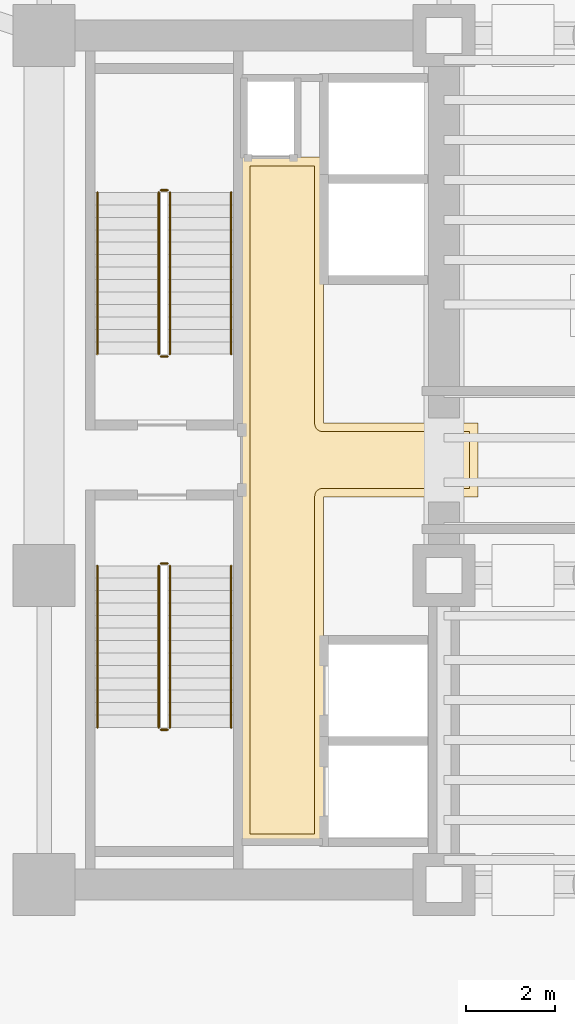
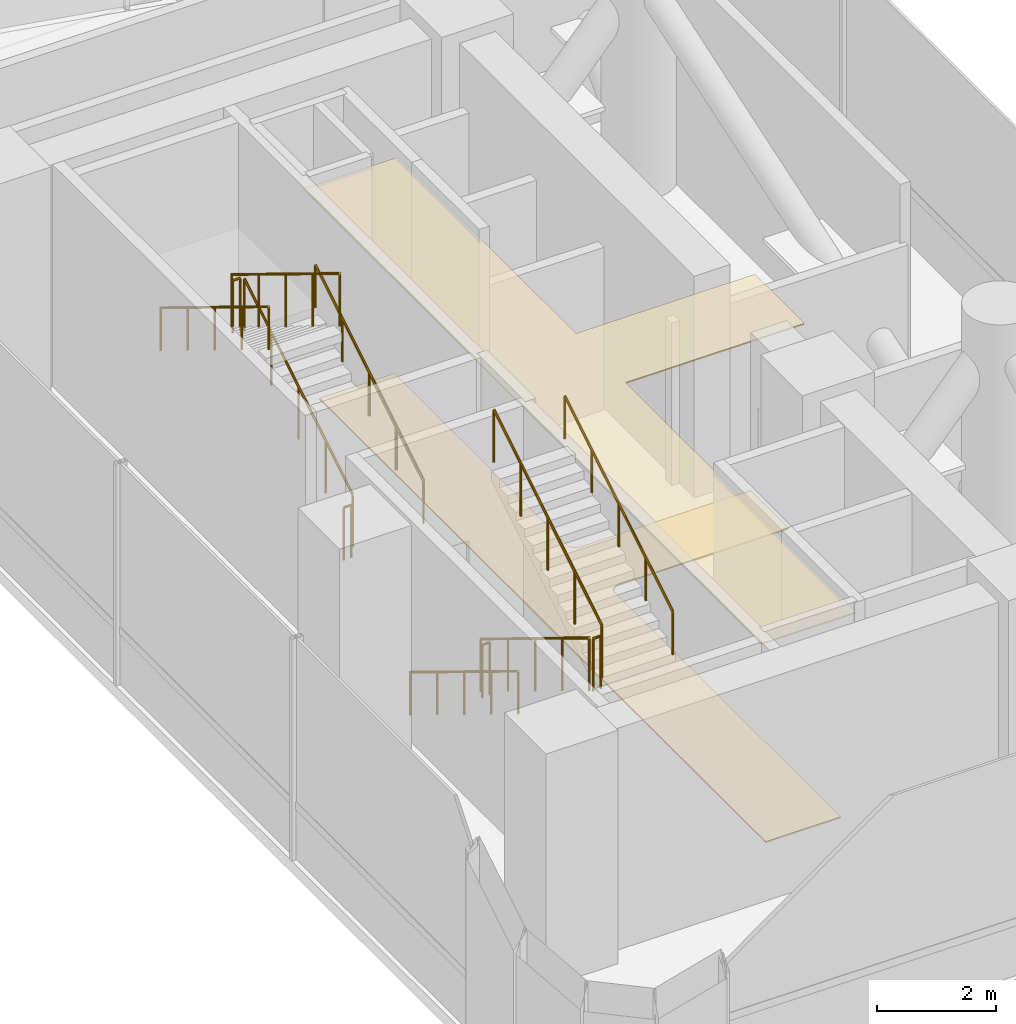
# One storey, part 38 of 39: 12 railings, 2 coverings.
"""IFC4 building model written with IfcOpenShell, lengths in metres."""

from ifc_helpers import new_model, si_unit, direction, frame, origin, origin_2d, place, context, subcontext, project, spatial, polyline, circle, outline, extrude, material, layer, layer_set, type_object, element, save


model = new_model("IFC4")

# Units and contexts
model_context = context("Model", 3, precision=1e-05, world=origin(), true_north=direction((0.0, 1.0)))
body_context = subcontext(model_context, "Body", "Model", "MODEL_VIEW")
ifc_project = project(units=[si_unit("LENGTHUNIT", "METRE"), si_unit("AREAUNIT", "SQUARE_METRE"), si_unit("VOLUMEUNIT", "CUBIC_METRE"), si_unit("PLANEANGLEUNIT", "RADIAN"), si_unit("MASSUNIT", "GRAM", prefix="KILO")], contexts=[model_context])

# Site, building, storey
site_placement = place(None, origin())
site = spatial("IfcSite", under=ifc_project, at=site_placement, CompositionType="ELEMENT")
building_placement = place(site_placement, origin())
building = spatial("IfcBuilding", under=site, at=building_placement, Name="Valdorenza Pilgrim Sanctuary Tower", CompositionType="ELEMENT")
storey_placement = place(building_placement, frame((0.0, 0.0, 96.300048828125)))
storey = spatial("IfcBuildingStorey", under=building, at=storey_placement, Name="L24", CompositionType="ELEMENT", Elevation=96.300048828125)

# Coverings
ifc_material_1 = material(Name="Micro-perforated acoustic mineral ceiling tile", Category="gypsum")
ifc_layer_1 = layer(ifc_material_1, 0.02490234375, Name="Micro-perforated acoustic mineral ceiling tile")
ifc_layer_set_1 = layer_set([ifc_layer_1], Name="Micro-perforated acoustic mineral ceiling tile")
covering_type_1 = type_object("IfcCoveringType", Name="COV-CLG-ACU", PredefinedType="CEILING", material=ifc_layer_set_1)
covering_1_placement = place(storey_placement, frame((0.0, 0.0, 4.260009765625)))
element("IfcCovering", 1, at=covering_1_placement, inside=storey, type_object=covering_type_1, Name="L24 Core B Passenger Lift Lobby Acoustic Ceiling", PredefinedType="CEILING", context=body_context, shape_type="SweptSolid", body=[
    extrude(outline(polyline([(20.287109375, -0.814697265625), (20.287109375, 0.814697265625), (20.28662109375, 0.815185546875), (20.2861328125, 0.81640625), (20.28564453125, 0.81787109375), (20.285400390625, 0.819091796875), (20.28515625, 0.820556640625), (20.284912109375, 0.822021484375), (20.284912109375, 6.800048828125), (20.28515625, 6.801513671875), (20.285400390625, 6.802978515625), (20.28564453125, 6.804443359375), (20.2861328125, 6.8056640625), (20.286865234375, 6.80712890625), (20.28759765625, 6.808349609375), (20.288330078125, 6.8095703125), (20.289306640625, 6.810546875), (20.29052734375, 6.8115234375), (20.291748046875, 6.8125), (20.29296875, 6.813232421875), (20.294189453125, 6.81396484375), (20.295654296875, 6.814453125), (20.297119140625, 6.814697265625), (20.298583984375, 6.81494140625), (20.300048828125, 6.81494140625), (20.347900390625, 6.81494140625), (20.349365234375, 6.81494140625), (20.350830078125, 6.814697265625), (20.352294921875, 6.814453125), (20.353515625, 6.81396484375), (20.35498046875, 6.813232421875), (20.35546875, 6.81298828125), (21.544677734375, 6.81298828125), (21.545166015625, 6.813232421875), (21.54638671875, 6.81396484375), (21.5478515625, 6.814453125), (21.54931640625, 6.814697265625), (21.550537109375, 6.81494140625), (21.552001953125, 6.81494140625), (22.1201171875, 6.81494140625), (22.12158203125, 6.81494140625), (22.122802734375, 6.814697265625), (22.12451171875, 6.814453125), (22.125732421875, 6.81396484375), (22.127197265625, 6.813232421875), (22.12841796875, 6.8125), (22.12939453125, 6.8115234375), (22.130615234375, 6.810546875), (22.131591796875, 6.8095703125), (22.132568359375, 6.808349609375), (22.13330078125, 6.80712890625), (22.1337890625, 6.8056640625), (22.134521484375, 6.804443359375), (22.134765625, 6.802978515625), (22.135009765625, 6.801513671875), (22.135009765625, 6.800048828125), (22.135009765625, 0.8349609375), (25.60009765625, 0.8349609375), (25.6015625, 0.8349609375), (25.602783203125, 0.834716796875), (25.6044921875, 0.83447265625), (25.605712890625, 0.833984375), (25.607177734375, 0.833251953125), (25.6083984375, 0.83251953125), (25.609619140625, 0.83154296875), (25.610595703125, 0.83056640625), (25.611572265625, 0.82958984375), (25.612548828125, 0.828369140625), (25.61328125, 0.8271484375), (25.614013671875, 0.82568359375), (25.614501953125, 0.824462890625), (25.61474609375, 0.822998046875), (25.614990234375, 0.821533203125), (25.614990234375, 0.820068359375), (25.614990234375, -0.820068359375), (25.614990234375, -0.821533203125), (25.61474609375, -0.822998046875), (25.614501953125, -0.824462890625), (25.614013671875, -0.82568359375), (25.61328125, -0.8271484375), (25.612548828125, -0.828369140625), (25.611572265625, -0.82958984375), (25.610595703125, -0.83056640625), (25.609619140625, -0.83154296875), (25.6083984375, -0.83251953125), (25.607177734375, -0.833251953125), (25.605712890625, -0.833984375), (25.6044921875, -0.83447265625), (25.602783203125, -0.834716796875), (25.6015625, -0.8349609375), (25.60009765625, -0.8349609375), (22.135009765625, -0.8349609375), (22.135009765625, -8.60009765625), (22.135009765625, -8.6015625), (22.134765625, -8.602783203125), (22.134521484375, -8.6044921875), (22.1337890625, -8.605712890625), (22.13330078125, -8.607177734375), (22.132568359375, -8.6083984375), (22.131591796875, -8.609619140625), (22.130615234375, -8.610595703125), (22.12939453125, -8.611572265625), (22.12841796875, -8.612548828125), (22.127197265625, -8.61328125), (22.125732421875, -8.614013671875), (22.12451171875, -8.614501953125), (22.122802734375, -8.61474609375), (22.12158203125, -8.614990234375), (22.1201171875, -8.614990234375), (20.300048828125, -8.614990234375), (20.298583984375, -8.614990234375), (20.297119140625, -8.61474609375), (20.295654296875, -8.614501953125), (20.294189453125, -8.614013671875), (20.29296875, -8.61328125), (20.291748046875, -8.612548828125), (20.29052734375, -8.611572265625), (20.289306640625, -8.610595703125), (20.288330078125, -8.609619140625), (20.28759765625, -8.6083984375), (20.286865234375, -8.607177734375), (20.2861328125, -8.605712890625), (20.28564453125, -8.6044921875), (20.285400390625, -8.602783203125), (20.28515625, -8.6015625), (20.284912109375, -8.60009765625), (20.284912109375, -0.822021484375), (20.28515625, -0.820556640625), (20.285400390625, -0.819091796875), (20.28564453125, -0.81787109375), (20.2861328125, -0.81640625), (20.28662109375, -0.815185546875), (20.287109375, -0.814697265625)])), origin(), (0.0, 0.0, 1.0), 0.02490234375),
])
ifc_material_2 = material(Name="Honed travertine stone flooring", Category="masonry")
ifc_layer_2 = layer(ifc_material_2, 0.030029296875, Name="Honed travertine stone flooring")
ifc_layer_set_2 = layer_set([ifc_layer_2], Name="Honed travertine stone flooring")
covering_type_2 = type_object("IfcCoveringType", Name="COV-FLR-TRV", PredefinedType="FLOORING", material=ifc_layer_set_2)
covering_2_placement = place(storey_placement, origin())
element("IfcCovering", 2, at=covering_2_placement, inside=storey, type_object=covering_type_2, Name="L24 Core B Passenger Lift Lobby Flooring", PredefinedType="FLOORING", context=body_context, shape_type="SweptSolid", body=[
    extrude(outline(polyline([(20.47998046875, 6.617919921875), (21.550048828125, 6.617919921875), (21.550537109375, 6.617919921875), (21.93994140625, 6.619384765625), (21.93994140625, 0.820068359375), (21.94091796875, 0.802490234375), (21.943603515625, 0.784912109375), (21.94775390625, 0.767578125), (21.95361328125, 0.751220703125), (21.961181640625, 0.735107421875), (21.97021484375, 0.719970703125), (21.98095703125, 0.705810546875), (21.99267578125, 0.692626953125), (22.005859375, 0.680908203125), (22.02001953125, 0.67041015625), (22.03515625, 0.661376953125), (22.051025390625, 0.65380859375), (22.067626953125, 0.647705078125), (22.0849609375, 0.6435546875), (22.102294921875, 0.640869140625), (22.1201171875, 0.639892578125), (25.419921875, 0.639892578125), (25.419921875, -0.639892578125), (22.1201171875, -0.639892578125), (22.102294921875, -0.640869140625), (22.0849609375, -0.6435546875), (22.067626953125, -0.647705078125), (22.051025390625, -0.65380859375), (22.03515625, -0.661376953125), (22.02001953125, -0.67041015625), (22.005859375, -0.680908203125), (21.99267578125, -0.692626953125), (21.98095703125, -0.705810546875), (21.97021484375, -0.719970703125), (21.961181640625, -0.735107421875), (21.95361328125, -0.751220703125), (21.94775390625, -0.767578125), (21.943603515625, -0.784912109375), (21.94091796875, -0.802490234375), (21.93994140625, -0.820068359375), (21.93994140625, -8.419921875), (20.47998046875, -8.419921875), (20.47998046875, -0.846923828125), (20.47998046875, -0.8466796875), (20.47998046875, -0.8466796875), (20.481689453125, -0.8291015625), (20.481689453125, -0.828857421875), (20.48193359375, -0.820068359375), (20.48193359375, 0.820068359375), (20.47998046875, 6.617919921875)])), origin(), (0.0, 0.0, 1.0), 0.02490234375),
])

# Railings
ifc_material_3 = material(Name="Stainless steel Grade 316", Category="steel")
railing_type_1 = type_object("IfcRailingType", Name="RLG-GRD-1120", PredefinedType="GUARDRAIL", material=ifc_material_3)
railing_1_placement = place(storey_placement, frame((18.679931640625, 2.3798828125, 0.17138671875)))
element("IfcRailing", 3, at=railing_1_placement, inside=storey, type_object=railing_type_1, Name="L24 ST-B1 stair guard 1", PredefinedType="GUARDRAIL", context=body_context, shape_type="SweptSolid", body=[
    extrude(circle(Radius=0.02392578125, at=origin_2d()), frame((0.0, 0.0, 1.076171875), z_axis=(0.0, 0.852865859571, 0.52213008492), x_axis=(-1.0, 0.0, 0.0)), (0.0, 0.0, 1.0), 4.26806640625),
    extrude(circle(Radius=0.02099609375, at=origin_2d()), origin(), (0.0, 0.0, 1.0), 1.052001953125),
    extrude(circle(Radius=0.02099609375, at=origin_2d()), frame((0.0, 0.91015625, 0.55712890625)), (0.0, 0.0, 1.0), 1.052001953125),
    extrude(circle(Radius=0.02099609375, at=origin_2d()), frame((0.0, 1.820068359375, 1.1142578125)), (0.0, 0.0, 1.0), 1.052001953125),
    extrude(circle(Radius=0.02099609375, at=origin_2d()), frame((0.0, 2.72998046875, 1.67138671875)), (0.0, 0.0, 1.0), 1.052001953125),
    extrude(circle(Radius=0.02099609375, at=origin_2d()), frame((0.0, 3.64013671875, 2.228515625)), (0.0, 0.0, 1.0), 1.052001953125),
])
railing_2_placement = place(storey_placement, frame((18.6298828125, 6.070068359375, 2.39990234375)))
element("IfcRailing", 4, at=railing_2_placement, inside=storey, type_object=railing_type_1, Name="L24 ST-B1 stair guard 2", PredefinedType="GUARDRAIL", context=body_context, shape_type="SweptSolid", body=[
    extrude(circle(Radius=0.02392578125, at=origin_2d()), frame((0.0, 0.0, 1.076171875), z_axis=(-1.0, 0.0, 0.0), x_axis=(0.0, -1.0, 0.0)), (0.0, 0.0, 1.0), 0.14990234375),
    extrude(circle(Radius=0.02099609375, at=origin_2d()), origin(), (0.0, 0.0, 1.0), 1.052001953125),
    extrude(circle(Radius=0.02099609375, at=origin_2d()), frame((-0.14990234375, 0.0, 0.0)), (0.0, 0.0, 1.0), 1.052001953125),
])
railing_3_placement = place(storey_placement, frame((18.429931640625, 6.02001953125, 2.5712890625)))
element("IfcRailing", 5, at=railing_3_placement, inside=storey, type_object=railing_type_1, Name="L24 ST-B1 stair guard 3", PredefinedType="GUARDRAIL", context=body_context, shape_type="SweptSolid", body=[
    extrude(circle(Radius=0.02392578125, at=origin_2d()), frame((0.0, 0.0, 1.076171875), z_axis=(0.0, -0.852840387347, 0.522171689878), x_axis=(1.0, 0.0, 0.0)), (0.0, 0.0, 1.0), 4.268310546875),
    extrude(circle(Radius=0.02099609375, at=origin_2d()), origin(), (0.0, 0.0, 1.0), 1.052001953125),
    extrude(circle(Radius=0.02099609375, at=origin_2d()), frame((0.0, -0.91015625, 0.55712890625)), (0.0, 0.0, 1.0), 1.052001953125),
    extrude(circle(Radius=0.02099609375, at=origin_2d()), frame((0.0, -1.820068359375, 1.1142578125)), (0.0, 0.0, 1.0), 1.052001953125),
    extrude(circle(Radius=0.02099609375, at=origin_2d()), frame((0.0, -2.72998046875, 1.671630859375)), (0.0, 0.0, 1.0), 1.052001953125),
    extrude(circle(Radius=0.02099609375, at=origin_2d()), frame((0.0, -3.64013671875, 2.228759765625)), (0.0, 0.0, 1.0), 1.052001953125),
])
railing_4_placement = place(storey_placement, frame((18.6298828125, 2.330078125, 0.0)))
element("IfcRailing", 6, at=railing_4_placement, inside=storey, type_object=railing_type_1, Name="L24 ST-B1 stair guard 4", PredefinedType="GUARDRAIL", context=body_context, shape_type="SweptSolid", body=[
    extrude(circle(Radius=0.02392578125, at=origin_2d()), frame((0.0, 0.0, 1.076171875), z_axis=(-1.0, 0.0, 0.0), x_axis=(0.0, -1.0, 0.0)), (0.0, 0.0, 1.0), 0.14990234375),
    extrude(circle(Radius=0.02099609375, at=origin_2d()), origin(), (0.0, 0.0, 1.0), 1.052001953125),
    extrude(circle(Radius=0.02099609375, at=origin_2d()), frame((-0.14990234375, 0.0, 0.0)), (0.0, 0.0, 1.0), 1.052001953125),
])
railing_5_placement = place(storey_placement, frame((18.429931640625, -2.3798828125, 0.17138671875)))
element("IfcRailing", 7, at=railing_5_placement, inside=storey, type_object=railing_type_1, Name="L24 ST-B2 stair guard 1", PredefinedType="GUARDRAIL", context=body_context, shape_type="SweptSolid", body=[
    extrude(circle(Radius=0.02392578125, at=origin_2d()), frame((0.0, 0.0, 1.076171875), z_axis=(0.0, -0.852865859571, 0.52213008492), x_axis=(1.0, 0.0, 0.0)), (0.0, 0.0, 1.0), 4.26806640625),
    extrude(circle(Radius=0.02099609375, at=origin_2d()), origin(), (0.0, 0.0, 1.0), 1.052001953125),
    extrude(circle(Radius=0.02099609375, at=origin_2d()), frame((0.0, -0.91015625, 0.55712890625)), (0.0, 0.0, 1.0), 1.052001953125),
    extrude(circle(Radius=0.02099609375, at=origin_2d()), frame((0.0, -1.820068359375, 1.1142578125)), (0.0, 0.0, 1.0), 1.052001953125),
    extrude(circle(Radius=0.02099609375, at=origin_2d()), frame((0.0, -2.72998046875, 1.67138671875)), (0.0, 0.0, 1.0), 1.052001953125),
    extrude(circle(Radius=0.02099609375, at=origin_2d()), frame((0.0, -3.64013671875, 2.228515625)), (0.0, 0.0, 1.0), 1.052001953125),
])
railing_6_placement = place(storey_placement, frame((18.47998046875, -6.070068359375, 2.39990234375)))
element("IfcRailing", 8, at=railing_6_placement, inside=storey, type_object=railing_type_1, Name="L24 ST-B2 stair guard 2", PredefinedType="GUARDRAIL", context=body_context, shape_type="SweptSolid", body=[
    extrude(circle(Radius=0.02392578125, at=origin_2d()), frame((0.0, 0.0, 1.076171875), z_axis=(1.0, 0.0, 0.0), x_axis=(0.0, 1.0, 0.0)), (0.0, 0.0, 1.0), 0.14990234375),
    extrude(circle(Radius=0.02099609375, at=origin_2d()), origin(), (0.0, 0.0, 1.0), 1.052001953125),
    extrude(circle(Radius=0.02099609375, at=origin_2d()), frame((0.14990234375, 0.0, 0.0)), (0.0, 0.0, 1.0), 1.052001953125),
])
railing_7_placement = place(storey_placement, frame((18.679931640625, -6.02001953125, 2.5712890625)))
element("IfcRailing", 9, at=railing_7_placement, inside=storey, type_object=railing_type_1, Name="L24 ST-B2 stair guard 3", PredefinedType="GUARDRAIL", context=body_context, shape_type="SweptSolid", body=[
    extrude(circle(Radius=0.02392578125, at=origin_2d()), frame((0.0, 0.0, 1.076171875), z_axis=(0.0, 0.852840387347, 0.522171689878), x_axis=(-1.0, 0.0, 0.0)), (0.0, 0.0, 1.0), 4.268310546875),
    extrude(circle(Radius=0.02099609375, at=origin_2d()), origin(), (0.0, 0.0, 1.0), 1.052001953125),
    extrude(circle(Radius=0.02099609375, at=origin_2d()), frame((0.0, 0.91015625, 0.55712890625)), (0.0, 0.0, 1.0), 1.052001953125),
    extrude(circle(Radius=0.02099609375, at=origin_2d()), frame((0.0, 1.820068359375, 1.1142578125)), (0.0, 0.0, 1.0), 1.052001953125),
    extrude(circle(Radius=0.02099609375, at=origin_2d()), frame((0.0, 2.72998046875, 1.671630859375)), (0.0, 0.0, 1.0), 1.052001953125),
    extrude(circle(Radius=0.02099609375, at=origin_2d()), frame((0.0, 3.64013671875, 2.228759765625)), (0.0, 0.0, 1.0), 1.052001953125),
])
railing_8_placement = place(storey_placement, frame((18.47998046875, -2.330078125, 0.0)))
element("IfcRailing", 10, at=railing_8_placement, inside=storey, type_object=railing_type_1, Name="L24 ST-B2 stair guard 4", PredefinedType="GUARDRAIL", context=body_context, shape_type="SweptSolid", body=[
    extrude(circle(Radius=0.02392578125, at=origin_2d()), frame((0.0, 0.0, 1.076171875), z_axis=(1.0, 0.0, 0.0), x_axis=(0.0, 1.0, 0.0)), (0.0, 0.0, 1.0), 0.14990234375),
    extrude(circle(Radius=0.02099609375, at=origin_2d()), origin(), (0.0, 0.0, 1.0), 1.052001953125),
    extrude(circle(Radius=0.02099609375, at=origin_2d()), frame((0.14990234375, 0.0, 0.0)), (0.0, 0.0, 1.0), 1.052001953125),
])
ifc_material_4 = material(Name="Brushed stainless steel Grade 316", Category="steel")
railing_type_2 = type_object("IfcRailingType", Name="RLG-HND-920", PredefinedType="HANDRAIL", material=ifc_material_4)
railing_9_placement = place(storey_placement, frame((20.06005859375, 2.3798828125, 0.17138671875)))
element("IfcRailing", 11, at=railing_9_placement, inside=storey, type_object=railing_type_2, Name="L24 ST-B1 stair handrail 1", PredefinedType="HANDRAIL", context=body_context, shape_type="SweptSolid", body=[
    extrude(circle(Radius=0.02392578125, at=origin_2d()), frame((0.0, 0.0, 0.8759765625), z_axis=(0.0, 0.852865859571, 0.52213008492), x_axis=(-1.0, 0.0, 0.0)), (0.0, 0.0, 1.0), 4.26806640625),
    extrude(circle(Radius=0.02099609375, at=origin_2d()), origin(), (0.0, 0.0, 1.0), 0.851806640625),
    extrude(circle(Radius=0.02099609375, at=origin_2d()), frame((0.0, 0.91015625, 0.55712890625)), (0.0, 0.0, 1.0), 0.851806640625),
    extrude(circle(Radius=0.02099609375, at=origin_2d()), frame((0.0, 1.820068359375, 1.1142578125)), (0.0, 0.0, 1.0), 0.851806640625),
    extrude(circle(Radius=0.02099609375, at=origin_2d()), frame((0.0, 2.72998046875, 1.67138671875)), (0.0, 0.0, 1.0), 0.851806640625),
    extrude(circle(Radius=0.02099609375, at=origin_2d()), frame((0.0, 3.64013671875, 2.228515625)), (0.0, 0.0, 1.0), 0.851806640625),
])
railing_10_placement = place(storey_placement, frame((17.050048828125, 6.02001953125, 2.5712890625)))
element("IfcRailing", 12, at=railing_10_placement, inside=storey, type_object=railing_type_2, Name="L24 ST-B1 stair handrail 2", PredefinedType="HANDRAIL", context=body_context, shape_type="SweptSolid", body=[
    extrude(circle(Radius=0.02392578125, at=origin_2d()), frame((0.0, 0.0, 0.8759765625), z_axis=(0.0, -0.852840387347, 0.522171689878), x_axis=(1.0, 0.0, 0.0)), (0.0, 0.0, 1.0), 4.268310546875),
    extrude(circle(Radius=0.02099609375, at=origin_2d()), origin(), (0.0, 0.0, 1.0), 0.851806640625),
    extrude(circle(Radius=0.02099609375, at=origin_2d()), frame((0.0, -0.91015625, 0.55712890625)), (0.0, 0.0, 1.0), 0.851806640625),
    extrude(circle(Radius=0.02099609375, at=origin_2d()), frame((0.0, -1.820068359375, 1.1142578125)), (0.0, 0.0, 1.0), 0.851806640625),
    extrude(circle(Radius=0.02099609375, at=origin_2d()), frame((0.0, -2.72998046875, 1.671630859375)), (0.0, 0.0, 1.0), 0.851806640625),
    extrude(circle(Radius=0.02099609375, at=origin_2d()), frame((0.0, -3.64013671875, 2.228759765625)), (0.0, 0.0, 1.0), 0.851806640625),
])
railing_11_placement = place(storey_placement, frame((17.050048828125, -2.3798828125, 0.17138671875)))
element("IfcRailing", 13, at=railing_11_placement, inside=storey, type_object=railing_type_2, Name="L24 ST-B2 stair handrail 1", PredefinedType="HANDRAIL", context=body_context, shape_type="SweptSolid", body=[
    extrude(circle(Radius=0.02392578125, at=origin_2d()), frame((0.0, 0.0, 0.8759765625), z_axis=(0.0, -0.852865859571, 0.52213008492), x_axis=(1.0, 0.0, 0.0)), (0.0, 0.0, 1.0), 4.26806640625),
    extrude(circle(Radius=0.02099609375, at=origin_2d()), origin(), (0.0, 0.0, 1.0), 0.851806640625),
    extrude(circle(Radius=0.02099609375, at=origin_2d()), frame((0.0, -0.91015625, 0.55712890625)), (0.0, 0.0, 1.0), 0.851806640625),
    extrude(circle(Radius=0.02099609375, at=origin_2d()), frame((0.0, -1.820068359375, 1.1142578125)), (0.0, 0.0, 1.0), 0.851806640625),
    extrude(circle(Radius=0.02099609375, at=origin_2d()), frame((0.0, -2.72998046875, 1.67138671875)), (0.0, 0.0, 1.0), 0.851806640625),
    extrude(circle(Radius=0.02099609375, at=origin_2d()), frame((0.0, -3.64013671875, 2.228515625)), (0.0, 0.0, 1.0), 0.851806640625),
])
railing_12_placement = place(storey_placement, frame((20.06005859375, -6.02001953125, 2.5712890625)))
element("IfcRailing", 14, at=railing_12_placement, inside=storey, type_object=railing_type_2, Name="L24 ST-B2 stair handrail 2", PredefinedType="HANDRAIL", context=body_context, shape_type="SweptSolid", body=[
    extrude(circle(Radius=0.02392578125, at=origin_2d()), frame((0.0, 0.0, 0.8759765625), z_axis=(0.0, 0.852840387347, 0.522171689878), x_axis=(-1.0, 0.0, 0.0)), (0.0, 0.0, 1.0), 4.268310546875),
    extrude(circle(Radius=0.02099609375, at=origin_2d()), origin(), (0.0, 0.0, 1.0), 0.851806640625),
    extrude(circle(Radius=0.02099609375, at=origin_2d()), frame((0.0, 0.91015625, 0.55712890625)), (0.0, 0.0, 1.0), 0.851806640625),
    extrude(circle(Radius=0.02099609375, at=origin_2d()), frame((0.0, 1.820068359375, 1.1142578125)), (0.0, 0.0, 1.0), 0.851806640625),
    extrude(circle(Radius=0.02099609375, at=origin_2d()), frame((0.0, 2.72998046875, 1.671630859375)), (0.0, 0.0, 1.0), 0.851806640625),
    extrude(circle(Radius=0.02099609375, at=origin_2d()), frame((0.0, 3.64013671875, 2.228759765625)), (0.0, 0.0, 1.0), 0.851806640625),
])

save(model, "model.ifc")
